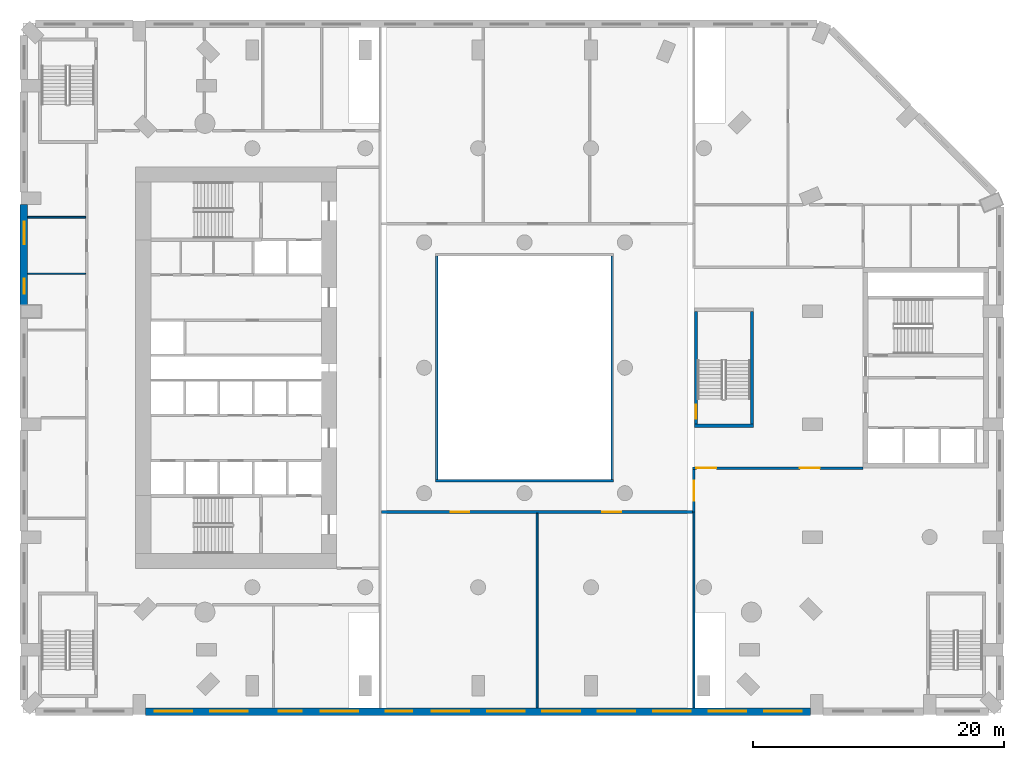
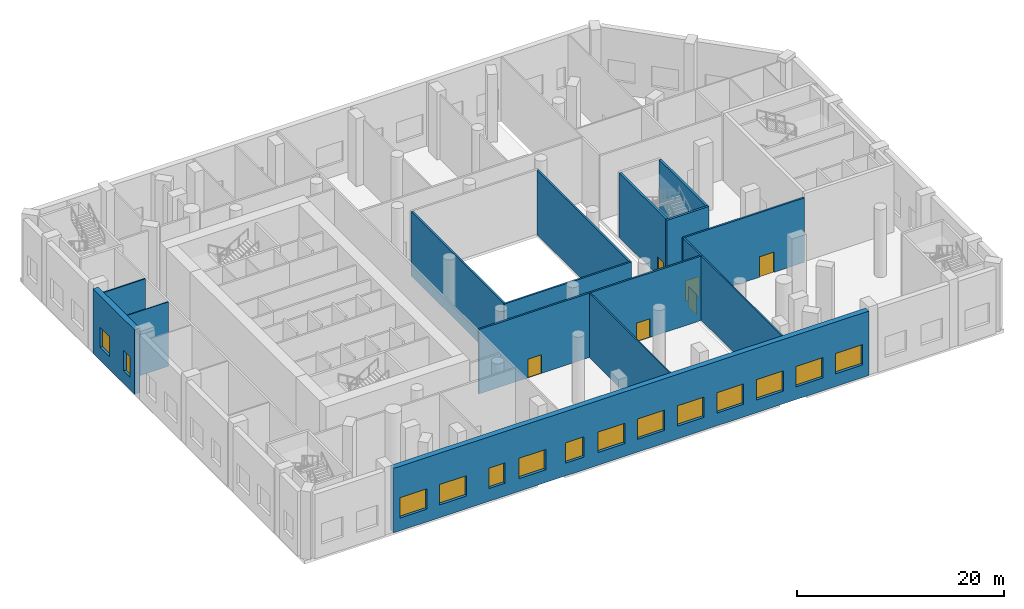
# One storey, part 5 of 18: 15 walls, 14 windows, 6 doors, 20 openings.
"""IFC4 building model written with IfcOpenShell, lengths in metres."""

from ifc_helpers import new_model, si_unit, direction, frame, frame_2d, origin, place, context, subcontext, project, spatial, rectangle, extrude, material, layer, layer_set, type_object, element, fill, save


model = new_model("IFC4")

# Units and contexts
model_context = context("Model", 3, precision=1e-05, world=origin(), true_north=direction((0.0, 1.0)))
body_context = subcontext(model_context, "Body", "Model", "MODEL_VIEW")
ifc_project = project(units=[si_unit("LENGTHUNIT", "METRE"), si_unit("AREAUNIT", "SQUARE_METRE"), si_unit("VOLUMEUNIT", "CUBIC_METRE"), si_unit("PLANEANGLEUNIT", "RADIAN"), si_unit("MASSUNIT", "GRAM", prefix="KILO")], contexts=[model_context])

# Site, building, storey
site_placement = place(None, origin())
site = spatial("IfcSite", under=ifc_project, at=site_placement, CompositionType="ELEMENT")
building_placement = place(site_placement, origin())
building = spatial("IfcBuilding", under=site, at=building_placement, Name="Cypress Arch Tower", CompositionType="ELEMENT")
storey_placement = place(building_placement, frame((0.0, 0.0, 36.0)))
storey = spatial("IfcBuildingStorey", under=building, at=storey_placement, Name="L04", CompositionType="ELEMENT", Elevation=36.0)

# Wall, openings, windows
ifc_material_1 = material(Name="Brick (red buff blend) on blockwork backing", Category="masonry")
ifc_layer_1 = layer(ifc_material_1, 0.60009765625)
ifc_layer_set_1 = layer_set([ifc_layer_1], Name="Brick base wall BW600")
wall_type_1 = type_object("IfcWallType", Name="Brick base wall BW600", PredefinedType="ELEMENTEDWALL", material=ifc_layer_set_1)
wall_1_placement = place(storey_placement, frame((-29.199951171875, -27.425048828125, 0.0), z_axis=(0.0, 0.0, 1.0), x_axis=(1.0, 0.0, 0.0)))
wall_1 = element("IfcWall", 1, at=wall_1_placement, inside=storey, type_object=wall_type_1, Name="Brick wall L04 P00.1", PredefinedType="ELEMENTEDWALL", context=body_context, shape_type="SweptSolid", body=[
    extrude(rectangle(XDim=53.0, YDim=0.60009765625, at=frame_2d((26.5, 0.0))), origin(), (0.0, 0.0, 1.0), 7.60009765625),
])
opening_1_placement = place(wall_1_placement, frame((0.708251953125, 0.0, 1.5)))
opening_1 = element("IfcOpeningElement", 2, at=opening_1_placement, cuts=wall_1, Name="Opening W300P", PredefinedType="OPENING", context=body_context, shape_type="SweptSolid", body=[
    extrude(rectangle(XDim=3.0, YDim=2.39990234375, at=frame_2d((1.5, 1.199951171875))), frame((0.0, 0.31005859375, 0.0), z_axis=(0.0, -1.0, 0.0), x_axis=(1.0, 0.0, 0.0)), (0.0, 0.0, 1.0), 0.6201171875),
])
opening_2_placement = place(wall_1_placement, frame((5.125, 0.0, 1.5)))
opening_2 = element("IfcOpeningElement", 3, at=opening_2_placement, cuts=wall_1, Name="Opening W300P", PredefinedType="OPENING", context=body_context, shape_type="SweptSolid", body=[
    extrude(rectangle(XDim=3.0, YDim=2.39990234375, at=frame_2d((1.5, 1.199951171875))), frame((0.0, 0.31005859375, 0.0), z_axis=(0.0, -1.0, 0.0), x_axis=(1.0, 0.0, 0.0)), (0.0, 0.0, 1.0), 0.6201171875),
])
opening_3_placement = place(wall_1_placement, frame((13.958251953125, 0.0, 1.5)))
opening_3 = element("IfcOpeningElement", 4, at=opening_3_placement, cuts=wall_1, Name="Opening W300P", PredefinedType="OPENING", context=body_context, shape_type="SweptSolid", body=[
    extrude(rectangle(XDim=3.0, YDim=2.39990234375, at=frame_2d((1.5, 1.199951171875))), frame((0.0, 0.31005859375, 0.0), z_axis=(0.0, -1.0, 0.0), x_axis=(1.0, 0.0, 0.0)), (0.0, 0.0, 1.0), 0.6201171875),
])
opening_4_placement = place(wall_1_placement, frame((22.791748046875, 0.0, 1.5)))
opening_4 = element("IfcOpeningElement", 5, at=opening_4_placement, cuts=wall_1, Name="Opening W300P", PredefinedType="OPENING", context=body_context, shape_type="SweptSolid", body=[
    extrude(rectangle(XDim=3.0, YDim=2.39990234375, at=frame_2d((1.5, 1.199951171875))), frame((0.0, 0.31005859375, 0.0), z_axis=(0.0, -1.0, 0.0), x_axis=(1.0, 0.0, 0.0)), (0.0, 0.0, 1.0), 0.6201171875),
])
opening_5_placement = place(wall_1_placement, frame((27.208251953125, 0.0, 1.5)))
opening_5 = element("IfcOpeningElement", 6, at=opening_5_placement, cuts=wall_1, Name="Opening W300P", PredefinedType="OPENING", context=body_context, shape_type="SweptSolid", body=[
    extrude(rectangle(XDim=3.0, YDim=2.39990234375, at=frame_2d((1.5, 1.199951171875))), frame((0.0, 0.31005859375, 0.0), z_axis=(0.0, -1.0, 0.0), x_axis=(1.0, 0.0, 0.0)), (0.0, 0.0, 1.0), 0.6201171875),
])
opening_6_placement = place(wall_1_placement, frame((31.625, 0.0, 1.5)))
opening_6 = element("IfcOpeningElement", 7, at=opening_6_placement, cuts=wall_1, Name="Opening W300P", PredefinedType="OPENING", context=body_context, shape_type="SweptSolid", body=[
    extrude(rectangle(XDim=3.0, YDim=2.39990234375, at=frame_2d((1.5, 1.199951171875))), frame((0.0, 0.31005859375, 0.0), z_axis=(0.0, -1.0, 0.0), x_axis=(1.0, 0.0, 0.0)), (0.0, 0.0, 1.0), 0.6201171875),
])
opening_7_placement = place(wall_1_placement, frame((36.041748046875, 0.0, 1.5)))
opening_7 = element("IfcOpeningElement", 8, at=opening_7_placement, cuts=wall_1, Name="Opening W300P", PredefinedType="OPENING", context=body_context, shape_type="SweptSolid", body=[
    extrude(rectangle(XDim=3.0, YDim=2.39990234375, at=frame_2d((1.5, 1.199951171875))), frame((0.0, 0.31005859375, 0.0), z_axis=(0.0, -1.0, 0.0), x_axis=(1.0, 0.0, 0.0)), (0.0, 0.0, 1.0), 0.6201171875),
])
opening_8_placement = place(wall_1_placement, frame((40.458251953125, 0.0, 1.5)))
opening_8 = element("IfcOpeningElement", 9, at=opening_8_placement, cuts=wall_1, Name="Opening W300P", PredefinedType="OPENING", context=body_context, shape_type="SweptSolid", body=[
    extrude(rectangle(XDim=3.0, YDim=2.39990234375, at=frame_2d((1.5, 1.199951171875))), frame((0.0, 0.31005859375, 0.0), z_axis=(0.0, -1.0, 0.0), x_axis=(1.0, 0.0, 0.0)), (0.0, 0.0, 1.0), 0.6201171875),
])
opening_9_placement = place(wall_1_placement, frame((44.875, 0.0, 1.5)))
opening_9 = element("IfcOpeningElement", 10, at=opening_9_placement, cuts=wall_1, Name="Opening W300P", PredefinedType="OPENING", context=body_context, shape_type="SweptSolid", body=[
    extrude(rectangle(XDim=3.0, YDim=2.39990234375, at=frame_2d((1.5, 1.199951171875))), frame((0.0, 0.31005859375, 0.0), z_axis=(0.0, -1.0, 0.0), x_axis=(1.0, 0.0, 0.0)), (0.0, 0.0, 1.0), 0.6201171875),
])
opening_10_placement = place(wall_1_placement, frame((49.291748046875, 0.0, 1.5)))
opening_10 = element("IfcOpeningElement", 11, at=opening_10_placement, cuts=wall_1, Name="Opening W300P", PredefinedType="OPENING", context=body_context, shape_type="SweptSolid", body=[
    extrude(rectangle(XDim=3.0, YDim=2.39990234375, at=frame_2d((1.5, 1.199951171875))), frame((0.0, 0.31005859375, 0.0), z_axis=(0.0, -1.0, 0.0), x_axis=(1.0, 0.0, 0.0)), (0.0, 0.0, 1.0), 0.6201171875),
])
opening_11_placement = place(wall_1_placement, frame((10.620849609375, 0.0, 1.5)))
opening_11 = element("IfcOpeningElement", 12, at=opening_11_placement, cuts=wall_1, Name="Opening W180P", PredefinedType="OPENING", context=body_context, shape_type="SweptSolid", body=[
    extrude(rectangle(XDim=1.800048828125, YDim=2.39990234375, at=frame_2d((0.89990234375, 1.199951171875))), frame((0.0, 0.31005859375, 0.0), z_axis=(0.0, -1.0, 0.0), x_axis=(1.0, 0.0, 0.0)), (0.0, 0.0, 1.0), 0.6201171875),
])
opening_12_placement = place(wall_1_placement, frame((19.137451171875, 0.0, 1.5)))
opening_12 = element("IfcOpeningElement", 13, at=opening_12_placement, cuts=wall_1, Name="Opening W210P", PredefinedType="OPENING", context=body_context, shape_type="SweptSolid", body=[
    extrude(rectangle(XDim=2.10009765625, YDim=2.39990234375, at=frame_2d((1.050048828125, 1.199951171875))), frame((0.0, 0.31005859375, 0.0), z_axis=(0.0, -1.0, 0.0), x_axis=(1.0, 0.0, 0.0)), (0.0, 0.0, 1.0), 0.6201171875),
])
ifc_material_2 = material(Name="Anodised aluminium, bronze finish, clear low-emissivity double glazing", Category="aluminium")
window_type_1 = type_object("IfcWindowType", Name="Window Podium 1800x2400", PartitioningType="SINGLE_PANEL", PredefinedType="WINDOW", material=ifc_material_2)
window_1_placement = place(opening_11_placement, origin())
window_1 = element("IfcWindow", 14, at=window_1_placement, inside=storey, type_object=window_type_1, Name="Window L04 P00.1.3", OverallHeight=2.39990234375, OverallWidth=1.800048828125, PartitioningType="SINGLE_PANEL", PredefinedType="WINDOW", context=body_context, shape_type="SweptSolid", body=[
    extrude(rectangle(XDim=1.800048828125, YDim=2.39990234375, at=frame_2d((0.89990234375, 1.199951171875))), frame((0.0, 0.06005859375, 0.0), z_axis=(0.0, -1.0, 0.0), x_axis=(1.0, 0.0, 0.0)), (0.0, 0.0, 1.0), 0.06005859375),
])
fill(opening_11, window_1)
ifc_material_3 = material(Name="Anodised aluminium, bronze finish, clear low-emissivity double glazing", Category="aluminium")
window_type_2 = type_object("IfcWindowType", Name="Window Podium 2100x2400", PartitioningType="SINGLE_PANEL", PredefinedType="WINDOW", material=ifc_material_3)
window_2_placement = place(opening_12_placement, origin())
window_2 = element("IfcWindow", 15, at=window_2_placement, inside=storey, type_object=window_type_2, Name="Window L04 P00.1.5", OverallHeight=2.39990234375, OverallWidth=2.10009765625, PartitioningType="SINGLE_PANEL", PredefinedType="WINDOW", context=body_context, shape_type="SweptSolid", body=[
    extrude(rectangle(XDim=2.10009765625, YDim=2.39990234375, at=frame_2d((1.050048828125, 1.199951171875))), frame((0.0, 0.06005859375, 0.0), z_axis=(0.0, -1.0, 0.0), x_axis=(1.0, 0.0, 0.0)), (0.0, 0.0, 1.0), 0.06005859375),
])
fill(opening_12, window_2)
ifc_material_4 = material(Name="Anodised aluminium, bronze finish, clear low-emissivity double glazing", Category="aluminium")
window_type_3 = type_object("IfcWindowType", Name="Window Podium 3000x2400", PartitioningType="SINGLE_PANEL", PredefinedType="WINDOW", material=ifc_material_4)
window_3_placement = place(opening_1_placement, origin())
window_3 = element("IfcWindow", 16, at=window_3_placement, inside=storey, type_object=window_type_3, Name="Window L04 P00.1.1", OverallHeight=2.39990234375, OverallWidth=3.0, PartitioningType="SINGLE_PANEL", PredefinedType="WINDOW", context=body_context, shape_type="SweptSolid", body=[
    extrude(rectangle(XDim=3.0, YDim=2.39990234375, at=frame_2d((1.5, 1.199951171875))), frame((0.0, 0.06005859375, 0.0), z_axis=(0.0, -1.0, 0.0), x_axis=(1.0, 0.0, 0.0)), (0.0, 0.0, 1.0), 0.06005859375),
])
fill(opening_1, window_3)
window_4_placement = place(opening_2_placement, origin())
window_4 = element("IfcWindow", 17, at=window_4_placement, inside=storey, type_object=window_type_3, Name="Window L04 P00.1.2", OverallHeight=2.39990234375, OverallWidth=3.0, PartitioningType="SINGLE_PANEL", PredefinedType="WINDOW", context=body_context, shape_type="SweptSolid", body=[
    extrude(rectangle(XDim=3.0, YDim=2.39990234375, at=frame_2d((1.5, 1.199951171875))), frame((0.0, 0.06005859375, 0.0), z_axis=(0.0, -1.0, 0.0), x_axis=(1.0, 0.0, 0.0)), (0.0, 0.0, 1.0), 0.06005859375),
])
fill(opening_2, window_4)
window_5_placement = place(opening_3_placement, origin())
window_5 = element("IfcWindow", 18, at=window_5_placement, inside=storey, type_object=window_type_3, Name="Window L04 P00.1.4", OverallHeight=2.39990234375, OverallWidth=3.0, PartitioningType="SINGLE_PANEL", PredefinedType="WINDOW", context=body_context, shape_type="SweptSolid", body=[
    extrude(rectangle(XDim=3.0, YDim=2.39990234375, at=frame_2d((1.5, 1.199951171875))), frame((0.0, 0.06005859375, 0.0), z_axis=(0.0, -1.0, 0.0), x_axis=(1.0, 0.0, 0.0)), (0.0, 0.0, 1.0), 0.06005859375),
])
fill(opening_3, window_5)
window_6_placement = place(opening_4_placement, origin())
window_6 = element("IfcWindow", 19, at=window_6_placement, inside=storey, type_object=window_type_3, Name="Window L04 P00.1.6", OverallHeight=2.39990234375, OverallWidth=3.0, PartitioningType="SINGLE_PANEL", PredefinedType="WINDOW", context=body_context, shape_type="SweptSolid", body=[
    extrude(rectangle(XDim=3.0, YDim=2.39990234375, at=frame_2d((1.5, 1.199951171875))), frame((0.0, 0.06005859375, 0.0), z_axis=(0.0, -1.0, 0.0), x_axis=(1.0, 0.0, 0.0)), (0.0, 0.0, 1.0), 0.06005859375),
])
fill(opening_4, window_6)
window_7_placement = place(opening_5_placement, origin())
window_7 = element("IfcWindow", 20, at=window_7_placement, inside=storey, type_object=window_type_3, Name="Window L04 P00.1.7", OverallHeight=2.39990234375, OverallWidth=3.0, PartitioningType="SINGLE_PANEL", PredefinedType="WINDOW", context=body_context, shape_type="SweptSolid", body=[
    extrude(rectangle(XDim=3.0, YDim=2.39990234375, at=frame_2d((1.5, 1.199951171875))), frame((0.0, 0.06005859375, 0.0), z_axis=(0.0, -1.0, 0.0), x_axis=(1.0, 0.0, 0.0)), (0.0, 0.0, 1.0), 0.06005859375),
])
fill(opening_5, window_7)
window_8_placement = place(opening_6_placement, origin())
window_8 = element("IfcWindow", 21, at=window_8_placement, inside=storey, type_object=window_type_3, Name="Window L04 P00.1.8", OverallHeight=2.39990234375, OverallWidth=3.0, PartitioningType="SINGLE_PANEL", PredefinedType="WINDOW", context=body_context, shape_type="SweptSolid", body=[
    extrude(rectangle(XDim=3.0, YDim=2.39990234375, at=frame_2d((1.5, 1.199951171875))), frame((0.0, 0.06005859375, 0.0), z_axis=(0.0, -1.0, 0.0), x_axis=(1.0, 0.0, 0.0)), (0.0, 0.0, 1.0), 0.06005859375),
])
fill(opening_6, window_8)
window_9_placement = place(opening_7_placement, origin())
window_9 = element("IfcWindow", 22, at=window_9_placement, inside=storey, type_object=window_type_3, Name="Window L04 P00.1.9", OverallHeight=2.39990234375, OverallWidth=3.0, PartitioningType="SINGLE_PANEL", PredefinedType="WINDOW", context=body_context, shape_type="SweptSolid", body=[
    extrude(rectangle(XDim=3.0, YDim=2.39990234375, at=frame_2d((1.5, 1.199951171875))), frame((0.0, 0.06005859375, 0.0), z_axis=(0.0, -1.0, 0.0), x_axis=(1.0, 0.0, 0.0)), (0.0, 0.0, 1.0), 0.06005859375),
])
fill(opening_7, window_9)
window_10_placement = place(opening_8_placement, origin())
window_10 = element("IfcWindow", 23, at=window_10_placement, inside=storey, type_object=window_type_3, Name="Window L04 P00.1.10", OverallHeight=2.39990234375, OverallWidth=3.0, PartitioningType="SINGLE_PANEL", PredefinedType="WINDOW", context=body_context, shape_type="SweptSolid", body=[
    extrude(rectangle(XDim=3.0, YDim=2.39990234375, at=frame_2d((1.5, 1.199951171875))), frame((0.0, 0.06005859375, 0.0), z_axis=(0.0, -1.0, 0.0), x_axis=(1.0, 0.0, 0.0)), (0.0, 0.0, 1.0), 0.06005859375),
])
fill(opening_8, window_10)
window_11_placement = place(opening_9_placement, origin())
window_11 = element("IfcWindow", 24, at=window_11_placement, inside=storey, type_object=window_type_3, Name="Window L04 P00.1.11", OverallHeight=2.39990234375, OverallWidth=3.0, PartitioningType="SINGLE_PANEL", PredefinedType="WINDOW", context=body_context, shape_type="SweptSolid", body=[
    extrude(rectangle(XDim=3.0, YDim=2.39990234375, at=frame_2d((1.5, 1.199951171875))), frame((0.0, 0.06005859375, 0.0), z_axis=(0.0, -1.0, 0.0), x_axis=(1.0, 0.0, 0.0)), (0.0, 0.0, 1.0), 0.06005859375),
])
fill(opening_9, window_11)
window_12_placement = place(opening_10_placement, origin())
window_12 = element("IfcWindow", 25, at=window_12_placement, inside=storey, type_object=window_type_3, Name="Window L04 P00.1.12", OverallHeight=2.39990234375, OverallWidth=3.0, PartitioningType="SINGLE_PANEL", PredefinedType="WINDOW", context=body_context, shape_type="SweptSolid", body=[
    extrude(rectangle(XDim=3.0, YDim=2.39990234375, at=frame_2d((1.5, 1.199951171875))), frame((0.0, 0.06005859375, 0.0), z_axis=(0.0, -1.0, 0.0), x_axis=(1.0, 0.0, 0.0)), (0.0, 0.0, 1.0), 0.06005859375),
])
fill(opening_10, window_12)

wall_2_placement = place(storey_placement, frame((-38.925048828125, 13.0, 0.0), z_axis=(0.0, 0.0, 1.0), x_axis=(0.0, -1.0, 0.0)))
wall_2 = element("IfcWall", 26, at=wall_2_placement, inside=storey, type_object=wall_type_1, Name="Brick wall L04 P04.2", PredefinedType="ELEMENTEDWALL", context=body_context, shape_type="SweptSolid", body=[
    extrude(rectangle(XDim=8.0, YDim=0.60009765625, at=frame_2d((4.0, 0.0))), origin(), (0.0, 0.0, 1.0), 7.60009765625),
])
opening_13_placement = place(wall_2_placement, frame((1.35009765625, 0.0, 1.5)))
opening_13 = element("IfcOpeningElement", 27, at=opening_13_placement, cuts=wall_2, Name="Opening W180P", PredefinedType="OPENING", context=body_context, shape_type="SweptSolid", body=[
    extrude(rectangle(XDim=1.800048828125, YDim=2.39990234375, at=frame_2d((0.89990234375, 1.199951171875))), frame((0.0, 0.31005859375, 0.0), z_axis=(0.0, -1.0, 0.0), x_axis=(1.0, 0.0, 0.0)), (0.0, 0.0, 1.0), 0.6201171875),
])
opening_14_placement = place(wall_2_placement, frame((5.89990234375, 0.0, 1.5)))
opening_14 = element("IfcOpeningElement", 28, at=opening_14_placement, cuts=wall_2, Name="Opening W120P", PredefinedType="OPENING", context=body_context, shape_type="SweptSolid", body=[
    extrude(rectangle(XDim=1.199951171875, YDim=2.39990234375, at=frame_2d((0.60009765625, 1.199951171875))), frame((0.0, 0.31005859375, 0.0), z_axis=(0.0, -1.0, 0.0), x_axis=(1.0, 0.0, 0.0)), (0.0, 0.0, 1.0), 0.6201171875),
])
ifc_material_5 = material(Name="Anodised aluminium, bronze finish, clear low-emissivity double glazing", Category="aluminium")
window_type_4 = type_object("IfcWindowType", Name="Window Podium 1200x2400", PartitioningType="SINGLE_PANEL", PredefinedType="WINDOW", material=ifc_material_5)
window_13_placement = place(opening_14_placement, origin())
window_13 = element("IfcWindow", 29, at=window_13_placement, inside=storey, type_object=window_type_4, Name="Window L04 P04.2.2", OverallHeight=2.39990234375, OverallWidth=1.199951171875, PartitioningType="SINGLE_PANEL", PredefinedType="WINDOW", context=body_context, shape_type="SweptSolid", body=[
    extrude(rectangle(XDim=1.199951171875, YDim=2.39990234375, at=frame_2d((0.60009765625, 1.199951171875))), frame((0.0, 0.06005859375, 0.0), z_axis=(0.0, -1.0, 0.0), x_axis=(1.0, 0.0, 0.0)), (0.0, 0.0, 1.0), 0.06005859375),
])
fill(opening_14, window_13)
window_14_placement = place(opening_13_placement, origin())
window_14 = element("IfcWindow", 30, at=window_14_placement, inside=storey, type_object=window_type_1, Name="Window L04 P04.2.1", OverallHeight=2.39990234375, OverallWidth=1.800048828125, PartitioningType="SINGLE_PANEL", PredefinedType="WINDOW", context=body_context, shape_type="SweptSolid", body=[
    extrude(rectangle(XDim=1.800048828125, YDim=2.39990234375, at=frame_2d((0.89990234375, 1.199951171875))), frame((0.0, 0.06005859375, 0.0), z_axis=(0.0, -1.0, 0.0), x_axis=(1.0, 0.0, 0.0)), (0.0, 0.0, 1.0), 0.06005859375),
])
fill(opening_13, window_14)

# Wall, openings, doors
ifc_material_6 = material(Name="Concrete blockwork, plastered, rated", Category="masonry")
ifc_layer_2 = layer(ifc_material_6, 0.199951171875)
ifc_layer_set_2 = layer_set([ifc_layer_2], Name="Corridor wall FW200")
wall_type_2 = type_object("IfcWallType", Name="Corridor wall FW200", PredefinedType="PARTITIONING", material=ifc_layer_set_2)
wall_3_placement = place(storey_placement, frame((-10.39990234375, -11.5, 0.0), z_axis=(0.0, 0.0, 1.0), x_axis=(1.0, 0.0, 0.0)))
wall_3 = element("IfcWall", 31, at=wall_3_placement, inside=storey, type_object=wall_type_2, Name="Corridor wall", PredefinedType="PARTITIONING", context=body_context, shape_type="SweptSolid", body=[
    extrude(rectangle(XDim=24.7998046875, YDim=0.199951171875, at=frame_2d((12.39990234375, 0.0))), origin(), (0.0, 0.0, 1.0), 7.597900390625),
])
opening_15_placement = place(wall_3_placement, frame((5.5, 0.0, 0.0)))
opening_15 = element("IfcOpeningElement", 32, at=opening_15_placement, cuts=wall_3, Name="Opening D04", PredefinedType="OPENING", context=body_context, shape_type="SweptSolid", body=[
    extrude(rectangle(XDim=1.5, YDim=2.199951171875, at=frame_2d((0.75, 1.10009765625))), frame((0.0, 0.10986328125, 0.0), z_axis=(0.0, -1.0, 0.0), x_axis=(1.0, 0.0, 0.0)), (0.0, 0.0, 1.0), 0.219970703125),
])
opening_16_placement = place(wall_3_placement, frame((17.60009765625, 0.0, 0.0)))
opening_16 = element("IfcOpeningElement", 33, at=opening_16_placement, cuts=wall_3, Name="Opening D04", PredefinedType="OPENING", context=body_context, shape_type="SweptSolid", body=[
    extrude(rectangle(XDim=1.5, YDim=2.199951171875, at=frame_2d((0.75, 1.10009765625))), frame((0.0, 0.10986328125, 0.0), z_axis=(0.0, -1.0, 0.0), x_axis=(1.0, 0.0, 0.0)), (0.0, 0.0, 1.0), 0.219970703125),
])
ifc_material_7 = material(Name="Timber double door", Category="wood")
door_type_1 = type_object("IfcDoorType", Name="Double door D04 1500x2200", OperationType="DOUBLE_DOOR_SINGLE_SWING", PredefinedType="DOOR", material=ifc_material_7)
door_1_placement = place(opening_15_placement, origin())
door_1 = element("IfcDoor", 34, at=door_1_placement, inside=storey, type_object=door_type_1, Name="Double door", OperationType="DOUBLE_DOOR_SINGLE_SWING", OverallHeight=2.199951171875, OverallWidth=1.5, PredefinedType="DOOR", context=body_context, shape_type="SweptSolid", body=[
    extrude(rectangle(XDim=1.5, YDim=2.199951171875, at=frame_2d((0.75, 1.10009765625))), frame((0.0, 0.02490234375, 0.0), z_axis=(0.0, -1.0, 0.0), x_axis=(1.0, 0.0, 0.0)), (0.0, 0.0, 1.0), 0.050048828125),
])
fill(opening_15, door_1)
door_2_placement = place(opening_16_placement, origin())
door_2 = element("IfcDoor", 35, at=door_2_placement, inside=storey, type_object=door_type_1, Name="Double door", OperationType="DOUBLE_DOOR_SINGLE_SWING", OverallHeight=2.199951171875, OverallWidth=1.5, PredefinedType="DOOR", context=body_context, shape_type="SweptSolid", body=[
    extrude(rectangle(XDim=1.5, YDim=2.199951171875, at=frame_2d((0.75, 1.10009765625))), frame((0.0, 0.02490234375, 0.0), z_axis=(0.0, -1.0, 0.0), x_axis=(1.0, 0.0, 0.0)), (0.0, 0.0, 1.0), 0.050048828125),
])
fill(opening_16, door_2)

# Walls
wall_4_placement = place(storey_placement, frame((-6.0, -8.89990234375, 0.0), z_axis=(0.0, 0.0, 1.0), x_axis=(0.0, 1.0, 0.0)))
element("IfcWall", 36, at=wall_4_placement, inside=storey, type_object=wall_type_2, Name="Corridor wall", PredefinedType="PARTITIONING", context=body_context, shape_type="SweptSolid", body=[
    extrude(rectangle(XDim=17.7998046875, YDim=0.199951171875, at=frame_2d((8.89990234375, 0.0))), origin(), (0.0, 0.0, 1.0), 7.597900390625),
])
wall_5_placement = place(storey_placement, frame((-6.10009765625, -9.0, 0.0), z_axis=(0.0, 0.0, 1.0), x_axis=(1.0, 0.0, 0.0)))
element("IfcWall", 37, at=wall_5_placement, inside=storey, type_object=wall_type_2, Name="Corridor wall", PredefinedType="PARTITIONING", context=body_context, shape_type="SweptSolid", body=[
    extrude(rectangle(XDim=14.2001953125, YDim=0.199951171875, at=frame_2d((7.10009765625, 0.0))), origin(), (0.0, 0.0, 1.0), 7.597900390625),
])
wall_6_placement = place(storey_placement, frame((8.0, -8.89990234375, 0.0), z_axis=(0.0, 0.0, 1.0), x_axis=(0.0, 1.0, 0.0)))
element("IfcWall", 38, at=wall_6_placement, inside=storey, type_object=wall_type_2, Name="Corridor wall", PredefinedType="PARTITIONING", context=body_context, shape_type="SweptSolid", body=[
    extrude(rectangle(XDim=17.7998046875, YDim=0.199951171875, at=frame_2d((8.89990234375, 0.0))), origin(), (0.0, 0.0, 1.0), 7.597900390625),
])

# Wall, opening, door
wall_7_placement = place(storey_placement, frame((14.5, -11.5, 0.0), z_axis=(0.0, 0.0, 1.0), x_axis=(0.0, 1.0, 0.0)))
wall_7 = element("IfcWall", 39, at=wall_7_placement, inside=storey, type_object=wall_type_2, Name="Corridor wall", PredefinedType="PARTITIONING", context=body_context, shape_type="SweptSolid", body=[
    extrude(rectangle(XDim=3.39990234375, YDim=0.199951171875, at=frame_2d((1.699951171875, 0.0))), origin(), (0.0, 0.0, 1.0), 7.597900390625),
])
opening_17_placement = place(wall_7_placement, frame((0.89990234375, 0.0, 0.0)))
opening_17 = element("IfcOpeningElement", 40, at=opening_17_placement, cuts=wall_7, Name="Opening D10", PredefinedType="OPENING", context=body_context, shape_type="SweptSolid", body=[
    extrude(rectangle(XDim=1.60009765625, YDim=2.39990234375, at=frame_2d((0.800048828125, 1.199951171875))), frame((0.0, 0.10986328125, 0.0), z_axis=(0.0, -1.0, 0.0), x_axis=(1.0, 0.0, 0.0)), (0.0, 0.0, 1.0), 0.219970703125),
])
ifc_material_8 = material(Name="Black aluminium glazed door", Category="aluminium")
door_type_2 = type_object("IfcDoorType", Name="Amenity door D10 1600x2400", OperationType="DOUBLE_DOOR_SINGLE_SWING", PredefinedType="DOOR", material=ifc_material_8)
door_3_placement = place(opening_17_placement, origin())
door_3 = element("IfcDoor", 41, at=door_3_placement, inside=storey, type_object=door_type_2, Name="Amenity door", OperationType="DOUBLE_DOOR_SINGLE_SWING", OverallHeight=2.39990234375, OverallWidth=1.60009765625, PredefinedType="DOOR", context=body_context, shape_type="SweptSolid", body=[
    extrude(rectangle(XDim=1.60009765625, YDim=2.39990234375, at=frame_2d((0.800048828125, 1.199951171875))), frame((0.0, 0.02490234375, 0.0), z_axis=(0.0, -1.0, 0.0), x_axis=(1.0, 0.0, 0.0)), (0.0, 0.0, 1.0), 0.050048828125),
])
fill(opening_17, door_3)

# Wall, openings, doors
wall_8_placement = place(storey_placement, frame((14.39990234375, -8.0, 0.0), z_axis=(0.0, 0.0, 1.0), x_axis=(1.0, 0.0, 0.0)))
wall_8 = element("IfcWall", 42, at=wall_8_placement, inside=storey, type_object=wall_type_2, Name="Corridor wall", PredefinedType="PARTITIONING", context=body_context, shape_type="SweptSolid", body=[
    extrude(rectangle(XDim=13.570068359375, YDim=0.199951171875, at=frame_2d((6.78515625, 0.0))), origin(), (0.0, 0.0, 1.0), 7.597900390625),
])
opening_18_placement = place(wall_8_placement, frame((8.550048828125, 0.0, 0.0)))
opening_18 = element("IfcOpeningElement", 43, at=opening_18_placement, cuts=wall_8, Name="Opening D10", PredefinedType="OPENING", context=body_context, shape_type="SweptSolid", body=[
    extrude(rectangle(XDim=1.60009765625, YDim=2.39990234375, at=frame_2d((0.800048828125, 1.199951171875))), frame((0.0, 0.10986328125, 0.0), z_axis=(0.0, -1.0, 0.0), x_axis=(1.0, 0.0, 0.0)), (0.0, 0.0, 1.0), 0.219970703125),
])
opening_19_placement = place(wall_8_placement, frame((0.300048828125, 0.0, 0.0)))
opening_19 = element("IfcOpeningElement", 44, at=opening_19_placement, cuts=wall_8, Name="Opening D10", PredefinedType="OPENING", context=body_context, shape_type="SweptSolid", body=[
    extrude(rectangle(XDim=1.60009765625, YDim=2.39990234375, at=frame_2d((0.800048828125, 1.199951171875))), frame((0.0, 0.10986328125, 0.0), z_axis=(0.0, -1.0, 0.0), x_axis=(1.0, 0.0, 0.0)), (0.0, 0.0, 1.0), 0.219970703125),
])
door_4_placement = place(opening_18_placement, origin())
door_4 = element("IfcDoor", 45, at=door_4_placement, inside=storey, type_object=door_type_2, Name="Amenity door", OperationType="DOUBLE_DOOR_SINGLE_SWING", OverallHeight=2.39990234375, OverallWidth=1.60009765625, PredefinedType="DOOR", context=body_context, shape_type="SweptSolid", body=[
    extrude(rectangle(XDim=1.60009765625, YDim=2.39990234375, at=frame_2d((0.800048828125, 1.199951171875))), frame((0.0, 0.02490234375, 0.0), z_axis=(0.0, -1.0, 0.0), x_axis=(1.0, 0.0, 0.0)), (0.0, 0.0, 1.0), 0.050048828125),
])
fill(opening_18, door_4)
door_5_placement = place(opening_19_placement, origin())
door_5 = element("IfcDoor", 46, at=door_5_placement, inside=storey, type_object=door_type_2, Name="Amenity door", OperationType="DOUBLE_DOOR_SINGLE_SWING", OverallHeight=2.39990234375, OverallWidth=1.60009765625, PredefinedType="DOOR", context=body_context, shape_type="SweptSolid", body=[
    extrude(rectangle(XDim=1.60009765625, YDim=2.39990234375, at=frame_2d((0.800048828125, 1.199951171875))), frame((0.0, 0.02490234375, 0.0), z_axis=(0.0, -1.0, 0.0), x_axis=(1.0, 0.0, 0.0)), (0.0, 0.0, 1.0), 0.050048828125),
])
fill(opening_19, door_5)

# Walls
ifc_material_9 = material(Name="Blockwork, plastered both sides", Category="masonry")
ifc_layer_3 = layer(ifc_material_9, 0.14990234375)
ifc_layer_set_3 = layer_set([ifc_layer_3], Name="Partition PW150")
wall_type_3 = type_object("IfcWallType", Name="Partition PW150", PredefinedType="PARTITIONING", material=ifc_layer_set_3)
wall_9_placement = place(storey_placement, frame((-38.625, 12.0, 0.0), z_axis=(0.0, 0.0, 1.0), x_axis=(1.0, 0.0, 0.0)))
element("IfcWall", 47, at=wall_9_placement, inside=storey, type_object=wall_type_3, Name="Partition", PredefinedType="PARTITIONING", context=body_context, shape_type="SweptSolid", body=[
    extrude(rectangle(XDim=4.625, YDim=0.14990234375, at=frame_2d((2.3125, 0.0))), origin(), (0.0, 0.0, 1.0), 7.597900390625),
])
wall_10_placement = place(storey_placement, frame((2.0, -27.125, 0.0), z_axis=(0.0, 0.0, 1.0), x_axis=(0.0, 1.0, 0.0)))
element("IfcWall", 48, at=wall_10_placement, inside=storey, type_object=wall_type_3, Name="Partition", PredefinedType="PARTITIONING", context=body_context, shape_type="SweptSolid", body=[
    extrude(rectangle(XDim=15.52490234375, YDim=0.14990234375, at=frame_2d((7.762451171875, 0.0))), origin(), (0.0, 0.0, 1.0), 7.597900390625),
])
wall_11_placement = place(storey_placement, frame((14.5, -27.125, 0.0), z_axis=(0.0, 0.0, 1.0), x_axis=(0.0, 1.0, 0.0)))
element("IfcWall", 49, at=wall_11_placement, inside=storey, type_object=wall_type_3, Name="Partition", PredefinedType="PARTITIONING", context=body_context, shape_type="SweptSolid", body=[
    extrude(rectangle(XDim=15.625, YDim=0.14990234375, at=frame_2d((7.8125, 0.0))), origin(), (0.0, 0.0, 1.0), 7.597900390625),
])

# Wall, opening, door
ifc_material_10 = material(Name="Concrete C50/60", Category="concrete")
ifc_layer_4 = layer(ifc_material_10, 0.25)
ifc_layer_set_4 = layer_set([ifc_layer_4], Name="Stair enclosure wall SW250")
wall_type_4 = type_object("IfcWallType", Name="Stair enclosure wall SW250", PredefinedType="SHEAR", material=ifc_layer_set_4)
wall_12_placement = place(storey_placement, frame((14.675048828125, -4.5, 0.0), z_axis=(0.0, 0.0, 1.0), x_axis=(0.0, 1.0, 0.0)))
wall_12 = element("IfcWall", 50, at=wall_12_placement, inside=storey, type_object=wall_type_4, Name="Stair enclosure wall", PredefinedType="SHEAR", context=body_context, shape_type="SweptSolid", body=[
    extrude(rectangle(XDim=9.0, YDim=0.25, at=frame_2d((4.5, 0.0))), origin(), (0.0, 0.0, 1.0), 7.60009765625),
])
opening_20_placement = place(wall_12_placement, frame((0.449951171875, 0.0, 0.0)))
opening_20 = element("IfcOpeningElement", 51, at=opening_20_placement, cuts=wall_12, Name="Opening D06", PredefinedType="OPENING", context=body_context, shape_type="SweptSolid", body=[
    extrude(rectangle(XDim=1.10009765625, YDim=2.199951171875, at=frame_2d((0.550048828125, 1.10009765625))), frame((0.0, 0.135009765625, 0.0), z_axis=(0.0, -1.0, 0.0), x_axis=(1.0, 0.0, 0.0)), (0.0, 0.0, 1.0), 0.27001953125),
])
ifc_material_11 = material(Name="Steel door, fire resisting, panic bar", Category="steel")
door_type_3 = type_object("IfcDoorType", Name="Stair door D06 1100x2200", OperationType="SINGLE_SWING_LEFT", PredefinedType="DOOR", material=ifc_material_11)
door_6_placement = place(opening_20_placement, origin())
door_6 = element("IfcDoor", 52, at=door_6_placement, inside=storey, type_object=door_type_3, Name="Stair door", OperationType="SINGLE_SWING_RIGHT", OverallHeight=2.199951171875, OverallWidth=1.10009765625, PredefinedType="DOOR", context=body_context, shape_type="SweptSolid", body=[
    extrude(rectangle(XDim=1.10009765625, YDim=2.199951171875, at=frame_2d((0.550048828125, 1.10009765625))), frame((0.0, 0.02490234375, 0.0), z_axis=(0.0, -1.0, 0.0), x_axis=(1.0, 0.0, 0.0)), (0.0, 0.0, 1.0), 0.050048828125),
])
fill(opening_20, door_6)

# Walls
wall_13_placement = place(storey_placement, frame((14.550048828125, -4.625, 0.0), z_axis=(0.0, 0.0, 1.0), x_axis=(1.0, 0.0, 0.0)))
element("IfcWall", 53, at=wall_13_placement, inside=storey, type_object=wall_type_4, Name="Stair enclosure wall", PredefinedType="SHEAR", context=body_context, shape_type="SweptSolid", body=[
    extrude(rectangle(XDim=4.699951171875, YDim=0.25, at=frame_2d((2.35009765625, 0.0))), origin(), (0.0, 0.0, 1.0), 7.60009765625),
])
wall_14_placement = place(storey_placement, frame((19.125, -4.5, 0.0), z_axis=(0.0, 0.0, 1.0), x_axis=(0.0, 1.0, 0.0)))
element("IfcWall", 54, at=wall_14_placement, inside=storey, type_object=wall_type_4, Name="Stair enclosure wall", PredefinedType="SHEAR", context=body_context, shape_type="SweptSolid", body=[
    extrude(rectangle(XDim=9.0, YDim=0.25, at=frame_2d((4.5, 0.0))), origin(), (0.0, 0.0, 1.0), 7.60009765625),
])
ifc_material_12 = material(Name="Moisture resistant board on steel studs, tiled", Category="steel")
ifc_layer_5 = layer(ifc_material_12, 0.10009765625)
ifc_layer_set_5 = layer_set([ifc_layer_5], Name="Wet wall PW100")
wall_type_5 = type_object("IfcWallType", Name="Wet wall PW100", PredefinedType="PARTITIONING", material=ifc_layer_set_5)
wall_15_placement = place(storey_placement, frame((-38.625, 7.5, 0.0), z_axis=(0.0, 0.0, 1.0), x_axis=(1.0, 0.0, 0.0)))
element("IfcWall", 55, at=wall_15_placement, inside=storey, type_object=wall_type_5, Name="Wet wall", PredefinedType="PARTITIONING", context=body_context, shape_type="SweptSolid", body=[
    extrude(rectangle(XDim=4.625, YDim=0.10009765625, at=frame_2d((2.3125, 0.0))), origin(), (0.0, 0.0, 1.0), 7.597900390625),
])

save(model, "model.ifc")
